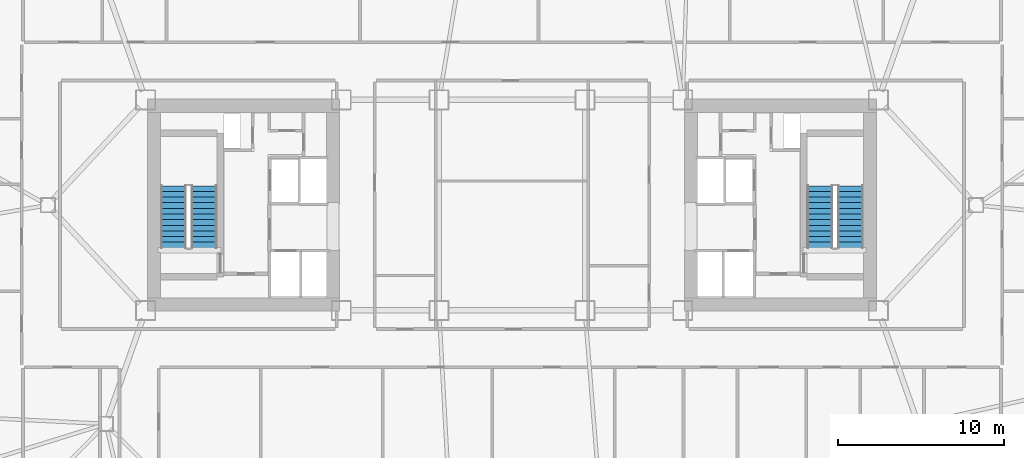
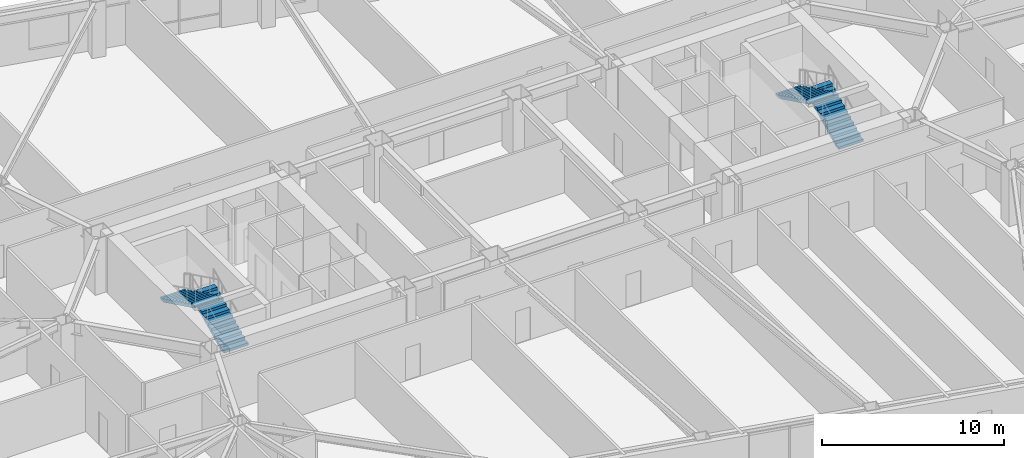
# One storey, part 16 of 21: 4 stair flights, 2 elements without a shape of their own.
"""IFC4 building model written with IfcOpenShell, lengths in metres."""

from ifc_helpers import new_model, si_unit, direction, frame, origin, place, context, subcontext, project, spatial, polyline, outline, extrude, material, type_object, element, aggregate, save


model = new_model("IFC4")

# Units and contexts
model_context = context("Model", 3, precision=1e-05, world=origin(), true_north=direction((0.0, 1.0)))
body_context = subcontext(model_context, "Body", "Model", "MODEL_VIEW")
ifc_project = project(units=[si_unit("LENGTHUNIT", "METRE"), si_unit("AREAUNIT", "SQUARE_METRE"), si_unit("VOLUMEUNIT", "CUBIC_METRE"), si_unit("PLANEANGLEUNIT", "RADIAN"), si_unit("MASSUNIT", "GRAM", prefix="KILO")], contexts=[model_context])

# Site, building, storey
site_placement = place(None, origin())
site = spatial("IfcSite", under=ifc_project, at=site_placement, CompositionType="ELEMENT")
building_placement = place(site_placement, origin())
building = spatial("IfcBuilding", under=site, at=building_placement, Name="Tavrogorsk Clinical Tower", CompositionType="ELEMENT")
storey_placement = place(building_placement, frame((0.0, 0.0, 71.39990234375)))
storey = spatial("IfcBuildingStorey", under=building, at=storey_placement, Name="L15", CompositionType="ELEMENT", Elevation=71.39990234375)

# Stair, stair flights
ifc_material_1 = material(Name="Concrete B60", Category="concrete")
stair_type = type_object("IfcStairType", Name="CoreStairAssembly", PredefinedType="HALF_TURN_STAIR", material=ifc_material_1)
stair_1_placement = place(storey_placement, origin())
stair_1 = element("IfcStair", 1, at=stair_1_placement, inside=storey, type_object=stair_type, Name="L15 ST-W", PredefinedType="HALF_TURN_STAIR")
ifc_material_2 = material(Name="Concrete B60", Category="concrete")
stair_flight_type = type_object("IfcStairFlightType", Name="CoreStairFlight", PredefinedType="STRAIGHT", material=ifc_material_2)
stair_flight_1_placement = place(storey_placement, frame((-18.574951171875, -2.574951171875, 0.0), z_axis=(0.0, 0.0, 1.0), x_axis=(0.0, 1.0, 0.0)))
stair_flight_1 = element("IfcStairFlight", 2, at=stair_flight_1_placement, type_object=stair_flight_type, Name="ST-W flight 1", NumberOfRisers=12, NumberOfTreads=11, PredefinedType="STRAIGHT", RiserHeight=0.166666667, TreadLength=0.34, context=body_context, shape_type="SweptSolid", body=[
    extrude(outline(polyline([(0.0, 0.0), (0.0, 0.166748046875), (0.340087890625, 0.166748046875), (0.340087890625, 0.333251953125), (0.679931640625, 0.333251953125), (0.679931640625, 0.5), (1.02001953125, 0.5), (1.02001953125, 0.666748046875), (1.360107421875, 0.666748046875), (1.360107421875, 0.833251953125), (1.699951171875, 0.833251953125), (1.699951171875, 1.0), (2.0400390625, 1.0), (2.0400390625, 1.166748046875), (2.3798828125, 1.166748046875), (2.3798828125, 1.333251953125), (2.719970703125, 1.333251953125), (2.719970703125, 1.5), (3.06005859375, 1.5), (3.06005859375, 1.666748046875), (3.39990234375, 1.666748046875), (3.39990234375, 1.833251953125), (3.739990234375, 1.833251953125), (3.739990234375, 2.0), (3.739990234375, 1.66650390625), (0.340576171875, 0.0), (0.0, 0.0)])), frame((0.0, 0.77490234375, 0.0), z_axis=(0.0, -1.0, 0.0), x_axis=(1.0, 0.0, 0.0)), (0.0, 0.0, 1.0), 1.550048828125),
])
stair_flight_2_placement = place(storey_placement, frame((-20.425048828125, 1.1650390625, 2.0), z_axis=(0.0, 0.0, 1.0), x_axis=(0.0, -1.0, 0.0)))
stair_flight_2 = element("IfcStairFlight", 3, at=stair_flight_2_placement, type_object=stair_flight_type, Name="ST-W flight 2", NumberOfRisers=12, NumberOfTreads=11, PredefinedType="STRAIGHT", RiserHeight=0.166666667, TreadLength=0.34, context=body_context, shape_type="SweptSolid", body=[
    extrude(outline(polyline([(0.0, 0.0), (0.0, 0.166748046875), (0.340087890625, 0.166748046875), (0.340087890625, 0.333251953125), (0.679931640625, 0.333251953125), (0.679931640625, 0.5), (1.02001953125, 0.5), (1.02001953125, 0.666748046875), (1.360107421875, 0.666748046875), (1.360107421875, 0.833251953125), (1.699951171875, 0.833251953125), (1.699951171875, 1.0), (2.0400390625, 1.0), (2.0400390625, 1.166748046875), (2.3798828125, 1.166748046875), (2.3798828125, 1.333251953125), (2.719970703125, 1.333251953125), (2.719970703125, 1.5), (3.06005859375, 1.5), (3.06005859375, 1.666748046875), (3.39990234375, 1.666748046875), (3.39990234375, 1.833251953125), (3.739990234375, 1.833251953125), (3.739990234375, 2.0), (3.739990234375, 1.66650390625), (0.340576171875, 0.0), (0.0, 0.0)])), frame((0.0, 0.77490234375, 0.0), z_axis=(0.0, -1.0, 0.0), x_axis=(1.0, 0.0, 0.0)), (0.0, 0.0, 1.0), 1.550048828125),
])
aggregate(stair_1, [stair_flight_1, stair_flight_2])

stair_2_placement = place(storey_placement, origin())
stair_2 = element("IfcStair", 4, at=stair_2_placement, inside=storey, type_object=stair_type, Name="L15 ST-E", PredefinedType="HALF_TURN_STAIR")
stair_flight_3_placement = place(storey_placement, frame((20.425048828125, -2.574951171875, 0.0), z_axis=(0.0, 0.0, 1.0), x_axis=(0.0, 1.0, 0.0)))
stair_flight_3 = element("IfcStairFlight", 5, at=stair_flight_3_placement, type_object=stair_flight_type, Name="ST-E flight 1", NumberOfRisers=12, NumberOfTreads=11, PredefinedType="STRAIGHT", RiserHeight=0.166666667, TreadLength=0.34, context=body_context, shape_type="SweptSolid", body=[
    extrude(outline(polyline([(0.0, 0.0), (0.0, 0.166748046875), (0.340087890625, 0.166748046875), (0.340087890625, 0.333251953125), (0.679931640625, 0.333251953125), (0.679931640625, 0.5), (1.02001953125, 0.5), (1.02001953125, 0.666748046875), (1.360107421875, 0.666748046875), (1.360107421875, 0.833251953125), (1.699951171875, 0.833251953125), (1.699951171875, 1.0), (2.0400390625, 1.0), (2.0400390625, 1.166748046875), (2.3798828125, 1.166748046875), (2.3798828125, 1.333251953125), (2.719970703125, 1.333251953125), (2.719970703125, 1.5), (3.06005859375, 1.5), (3.06005859375, 1.666748046875), (3.39990234375, 1.666748046875), (3.39990234375, 1.833251953125), (3.739990234375, 1.833251953125), (3.739990234375, 2.0), (3.739990234375, 1.66650390625), (0.340576171875, 0.0), (0.0, 0.0)])), frame((0.0, 0.77490234375, 0.0), z_axis=(0.0, -1.0, 0.0), x_axis=(1.0, 0.0, 0.0)), (0.0, 0.0, 1.0), 1.550048828125),
])
stair_flight_4_placement = place(storey_placement, frame((18.574951171875, 1.1650390625, 2.0), z_axis=(0.0, 0.0, 1.0), x_axis=(0.0, -1.0, 0.0)))
stair_flight_4 = element("IfcStairFlight", 6, at=stair_flight_4_placement, type_object=stair_flight_type, Name="ST-E flight 2", NumberOfRisers=12, NumberOfTreads=11, PredefinedType="STRAIGHT", RiserHeight=0.166666667, TreadLength=0.34, context=body_context, shape_type="SweptSolid", body=[
    extrude(outline(polyline([(0.0, 0.0), (0.0, 0.166748046875), (0.340087890625, 0.166748046875), (0.340087890625, 0.333251953125), (0.679931640625, 0.333251953125), (0.679931640625, 0.5), (1.02001953125, 0.5), (1.02001953125, 0.666748046875), (1.360107421875, 0.666748046875), (1.360107421875, 0.833251953125), (1.699951171875, 0.833251953125), (1.699951171875, 1.0), (2.0400390625, 1.0), (2.0400390625, 1.166748046875), (2.3798828125, 1.166748046875), (2.3798828125, 1.333251953125), (2.719970703125, 1.333251953125), (2.719970703125, 1.5), (3.06005859375, 1.5), (3.06005859375, 1.666748046875), (3.39990234375, 1.666748046875), (3.39990234375, 1.833251953125), (3.739990234375, 1.833251953125), (3.739990234375, 2.0), (3.739990234375, 1.66650390625), (0.340576171875, 0.0), (0.0, 0.0)])), frame((0.0, 0.77490234375, 0.0), z_axis=(0.0, -1.0, 0.0), x_axis=(1.0, 0.0, 0.0)), (0.0, 0.0, 1.0), 1.550048828125),
])
aggregate(stair_2, [stair_flight_3, stair_flight_4])

save(model, "model.ifc")
